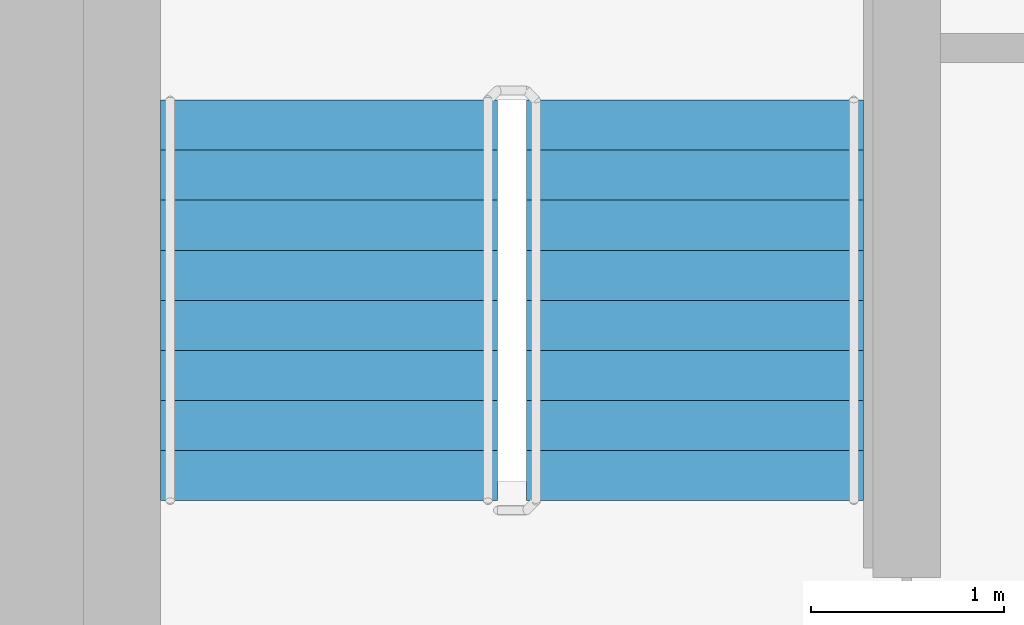
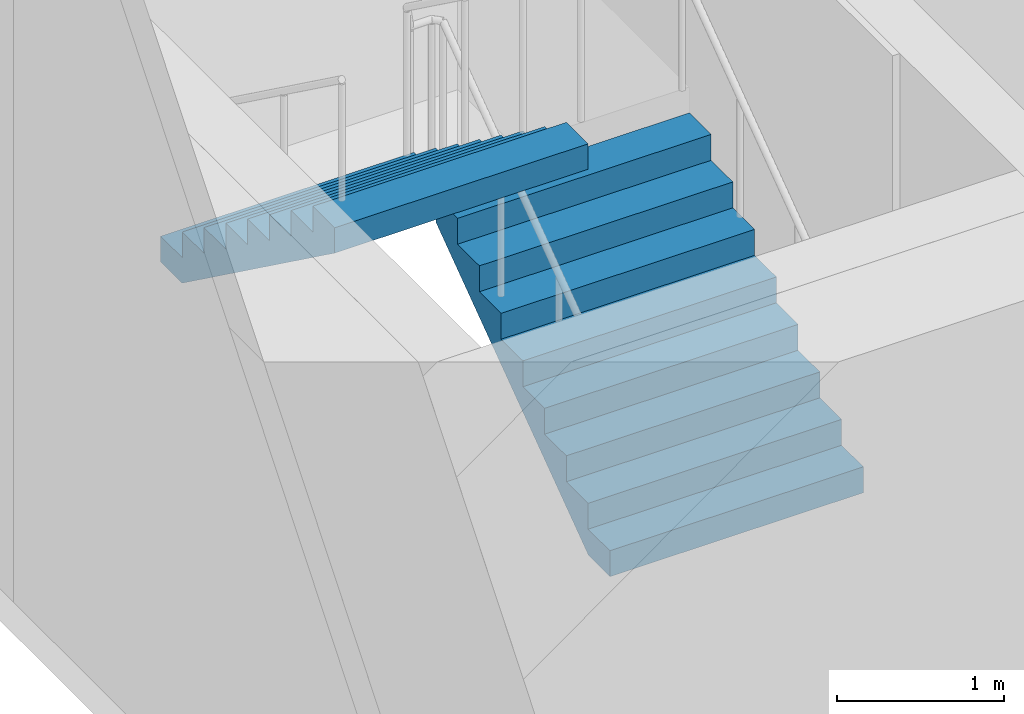
# One storey, part 15 of 18: 2 stair flights, 1 element without a shape of its own.
"""IFC4 building model written with IfcOpenShell, lengths in metres."""

from ifc_helpers import new_model, si_unit, direction, frame, origin, place, context, subcontext, project, spatial, faceted_brep, material, type_object, element, aggregate, save


model = new_model("IFC4")

# Units and contexts
model_context = context("Model", 3, precision=1e-05, world=origin(), true_north=direction((0.0, 1.0)))
body_context = subcontext(model_context, "Body", "Model", "MODEL_VIEW")
ifc_project = project(units=[si_unit("LENGTHUNIT", "METRE"), si_unit("AREAUNIT", "SQUARE_METRE"), si_unit("VOLUMEUNIT", "CUBIC_METRE"), si_unit("PLANEANGLEUNIT", "RADIAN"), si_unit("MASSUNIT", "GRAM", prefix="KILO")], contexts=[model_context])

# Site, building, storey
site_placement = place(None, origin())
site = spatial("IfcSite", under=ifc_project, at=site_placement, CompositionType="ELEMENT")
building_placement = place(site_placement, origin())
building = spatial("IfcBuilding", under=site, at=building_placement, Name="Ipe Terrace Towers", CompositionType="ELEMENT")
storey_placement = place(building_placement, frame((0.0, 0.0, 171.10009765625)))
storey = spatial("IfcBuildingStorey", under=building, at=storey_placement, Name="L47", CompositionType="ELEMENT", Elevation=171.10009765625)

# Stair, stair flights
ifc_material_1 = material(Name="Concrete C30/37", Category="concrete")
stair_type = type_object("IfcStairType", Name="Protected exit stair", PredefinedType="HALF_TURN_STAIR", material=ifc_material_1)
stair_placement = place(storey_placement, origin())
stair = element("IfcStair", 1, at=stair_placement, inside=storey, type_object=stair_type, Name="L47 Exit stair T2-C1", PredefinedType="HALF_TURN_STAIR")
ifc_material_2 = material(Name="Concrete C30/37", Category="concrete")
stair_flight_type = type_object("IfcStairFlightType", Name="Exit stair flight 1750", PredefinedType="STRAIGHT", material=ifc_material_2)
stair_flight_1_placement = place(storey_placement, frame((33.22509765625, 9.699951171875, 0.0), z_axis=(0.0, 0.0, 1.0), x_axis=(0.0, 1.0, 0.0)))
stair_flight_1 = element("IfcStairFlight", 2, at=stair_flight_1_placement, type_object=stair_flight_type, Name="T2-ST1 flight 1", NumberOfRisers=9, NumberOfTreads=8, PredefinedType="STRAIGHT", RiserHeight=0.188888889, TreadLength=0.26, context=body_context, shape_type="Brep", body=[
    faceted_brep([(0.255126953125, -0.875, 0.0), (2.080078125, -0.875, 1.325927734375), (2.080078125, -0.875, 1.51123046875), (1.820068359375, -0.875, 1.51123046875), (1.820068359375, -0.875, 1.322265625), (1.56005859375, -0.875, 1.322265625), (1.56005859375, -0.875, 1.13330078125), (1.300048828125, -0.875, 1.13330078125), (1.300048828125, -0.875, 0.9443359375), (1.0400390625, -0.875, 0.9443359375), (1.0400390625, -0.875, 0.755615234375), (0.780029296875, -0.875, 0.755615234375), (0.780029296875, -0.875, 0.566650390625), (0.52001953125, -0.875, 0.566650390625), (0.52001953125, -0.875, 0.377685546875), (0.260009765625, -0.875, 0.377685546875), (0.260009765625, -0.875, 0.18896484375), (0.0, -0.875, 0.18896484375), (0.0, -0.875, 0.0), (0.0, 0.875, 0.0), (0.0, 0.875, 0.18896484375), (0.260009765625, 0.875, 0.18896484375), (0.260009765625, 0.875, 0.377685546875), (0.52001953125, 0.875, 0.377685546875), (0.52001953125, 0.875, 0.566650390625), (0.780029296875, 0.875, 0.566650390625), (0.780029296875, 0.875, 0.755615234375), (1.0400390625, 0.875, 0.755615234375), (1.0400390625, 0.875, 0.9443359375), (1.300048828125, 0.875, 0.9443359375), (1.300048828125, 0.875, 1.13330078125), (1.56005859375, 0.875, 1.13330078125), (1.56005859375, 0.875, 1.322265625), (1.820068359375, 0.875, 1.322265625), (1.820068359375, 0.875, 1.51123046875), (2.080078125, 0.875, 1.51123046875), (2.080078125, 0.875, 1.325927734375), (0.255126953125, 0.875, 0.0), (0.0, -0.300048828125, 0.18896484375), (0.0, -0.1201171875, 0.18896484375), (0.0, -0.06005859375, 0.18896484375), (0.0, -0.030029296875, 0.18896484375), (0.0, -0.010009765625, 0.18896484375), (0.0, 0.0, 0.18896484375), (0.0, 0.010009765625, 0.18896484375), (0.0, 0.030029296875, 0.18896484375), (0.0, 0.06005859375, 0.18896484375), (0.0, 0.1201171875, 0.18896484375), (0.0, 0.300048828125, 0.18896484375), (0.0, 0.300048828125, 0.0), (0.0, 0.1201171875, 0.0), (0.0, 0.06005859375, 0.0), (0.0, 0.030029296875, 0.0), (0.0, 0.010009765625, 0.0), (0.0, 0.0, 0.0), (0.0, -0.010009765625, 0.0), (0.0, -0.030029296875, 0.0), (0.0, -0.06005859375, 0.0), (0.0, -0.1201171875, 0.0), (0.0, -0.300048828125, 0.0), (0.260009765625, -0.300048828125, 0.18896484375), (0.260009765625, -0.1201171875, 0.18896484375), (0.260009765625, -0.06005859375, 0.18896484375), (0.260009765625, -0.030029296875, 0.18896484375), (0.260009765625, -0.010009765625, 0.18896484375), (0.260009765625, 0.0, 0.18896484375), (0.260009765625, 0.010009765625, 0.18896484375), (0.260009765625, 0.030029296875, 0.18896484375), (0.260009765625, 0.06005859375, 0.18896484375), (0.260009765625, 0.1201171875, 0.18896484375), (0.260009765625, 0.300048828125, 0.18896484375), (0.260009765625, -0.300048828125, 0.377685546875), (0.260009765625, -0.1201171875, 0.377685546875), (0.260009765625, -0.06005859375, 0.377685546875), (0.260009765625, -0.030029296875, 0.377685546875), (0.260009765625, -0.010009765625, 0.377685546875), (0.260009765625, 0.0, 0.377685546875), (0.260009765625, 0.010009765625, 0.377685546875), (0.260009765625, 0.030029296875, 0.377685546875), (0.260009765625, 0.06005859375, 0.377685546875), (0.260009765625, 0.1201171875, 0.377685546875), (0.260009765625, 0.300048828125, 0.377685546875), (0.52001953125, -0.300048828125, 0.377685546875), (0.52001953125, -0.1201171875, 0.377685546875), (0.52001953125, -0.06005859375, 0.377685546875), (0.52001953125, -0.030029296875, 0.377685546875), (0.52001953125, -0.010009765625, 0.377685546875), (0.52001953125, 0.0, 0.377685546875), (0.52001953125, 0.010009765625, 0.377685546875), (0.52001953125, 0.030029296875, 0.377685546875), (0.52001953125, 0.06005859375, 0.377685546875), (0.52001953125, 0.1201171875, 0.377685546875), (0.52001953125, 0.300048828125, 0.377685546875), (0.52001953125, -0.300048828125, 0.566650390625), (0.52001953125, -0.1201171875, 0.566650390625), (0.52001953125, -0.06005859375, 0.566650390625), (0.52001953125, -0.030029296875, 0.566650390625), (0.52001953125, -0.010009765625, 0.566650390625), (0.52001953125, 0.0, 0.566650390625), (0.52001953125, 0.010009765625, 0.566650390625), (0.52001953125, 0.030029296875, 0.566650390625), (0.52001953125, 0.06005859375, 0.566650390625), (0.52001953125, 0.1201171875, 0.566650390625), (0.52001953125, 0.300048828125, 0.566650390625), (0.780029296875, -0.300048828125, 0.566650390625), (0.780029296875, -0.1201171875, 0.566650390625), (0.780029296875, -0.06005859375, 0.566650390625), (0.780029296875, -0.030029296875, 0.566650390625), (0.780029296875, -0.010009765625, 0.566650390625), (0.780029296875, 0.0, 0.566650390625), (0.780029296875, 0.010009765625, 0.566650390625), (0.780029296875, 0.030029296875, 0.566650390625), (0.780029296875, 0.06005859375, 0.566650390625), (0.780029296875, 0.1201171875, 0.566650390625), (0.780029296875, 0.300048828125, 0.566650390625), (0.780029296875, -0.300048828125, 0.755615234375), (0.780029296875, -0.1201171875, 0.755615234375), (0.780029296875, -0.06005859375, 0.755615234375), (0.780029296875, -0.030029296875, 0.755615234375), (0.780029296875, -0.010009765625, 0.755615234375), (0.780029296875, 0.0, 0.755615234375), (0.780029296875, 0.010009765625, 0.755615234375), (0.780029296875, 0.030029296875, 0.755615234375), (0.780029296875, 0.06005859375, 0.755615234375), (0.780029296875, 0.1201171875, 0.755615234375), (0.780029296875, 0.300048828125, 0.755615234375), (1.0400390625, -0.300048828125, 0.755615234375), (1.0400390625, -0.1201171875, 0.755615234375), (1.0400390625, -0.06005859375, 0.755615234375), (1.0400390625, -0.030029296875, 0.755615234375), (1.0400390625, -0.010009765625, 0.755615234375), (1.0400390625, 0.0, 0.755615234375), (1.0400390625, 0.010009765625, 0.755615234375), (1.0400390625, 0.030029296875, 0.755615234375), (1.0400390625, 0.06005859375, 0.755615234375), (1.0400390625, 0.1201171875, 0.755615234375), (1.0400390625, 0.300048828125, 0.755615234375), (1.0400390625, -0.300048828125, 0.9443359375), (1.0400390625, -0.1201171875, 0.9443359375), (1.0400390625, -0.06005859375, 0.9443359375), (1.0400390625, -0.030029296875, 0.9443359375), (1.0400390625, -0.010009765625, 0.9443359375), (1.0400390625, 0.0, 0.9443359375), (1.0400390625, 0.010009765625, 0.9443359375), (1.0400390625, 0.030029296875, 0.9443359375), (1.0400390625, 0.06005859375, 0.9443359375), (1.0400390625, 0.1201171875, 0.9443359375), (1.0400390625, 0.300048828125, 0.9443359375), (1.300048828125, -0.300048828125, 0.9443359375), (1.300048828125, -0.1201171875, 0.9443359375), (1.300048828125, -0.06005859375, 0.9443359375), (1.300048828125, -0.030029296875, 0.9443359375), (1.300048828125, -0.010009765625, 0.9443359375), (1.300048828125, 0.0, 0.9443359375), (1.300048828125, 0.010009765625, 0.9443359375), (1.300048828125, 0.030029296875, 0.9443359375), (1.300048828125, 0.06005859375, 0.9443359375), (1.300048828125, 0.1201171875, 0.9443359375), (1.300048828125, 0.300048828125, 0.9443359375), (1.300048828125, -0.300048828125, 1.13330078125), (1.300048828125, -0.1201171875, 1.13330078125), (1.300048828125, -0.06005859375, 1.13330078125), (1.300048828125, -0.030029296875, 1.13330078125), (1.300048828125, -0.010009765625, 1.13330078125), (1.300048828125, 0.0, 1.13330078125), (1.300048828125, 0.010009765625, 1.13330078125), (1.300048828125, 0.030029296875, 1.13330078125), (1.300048828125, 0.06005859375, 1.13330078125), (1.300048828125, 0.1201171875, 1.13330078125), (1.300048828125, 0.300048828125, 1.13330078125), (1.56005859375, -0.300048828125, 1.13330078125), (1.56005859375, -0.1201171875, 1.13330078125), (1.56005859375, -0.06005859375, 1.13330078125), (1.56005859375, -0.030029296875, 1.13330078125), (1.56005859375, -0.010009765625, 1.13330078125), (1.56005859375, 0.0, 1.13330078125), (1.56005859375, 0.010009765625, 1.13330078125), (1.56005859375, 0.030029296875, 1.13330078125), (1.56005859375, 0.06005859375, 1.13330078125), (1.56005859375, 0.1201171875, 1.13330078125), (1.56005859375, 0.300048828125, 1.13330078125), (1.56005859375, -0.300048828125, 1.322265625), (1.56005859375, -0.1201171875, 1.322265625), (1.56005859375, -0.06005859375, 1.322265625), (1.56005859375, -0.030029296875, 1.322265625), (1.56005859375, -0.010009765625, 1.322265625), (1.56005859375, 0.0, 1.322265625), (1.56005859375, 0.010009765625, 1.322265625), (1.56005859375, 0.030029296875, 1.322265625), (1.56005859375, 0.06005859375, 1.322265625), (1.56005859375, 0.1201171875, 1.322265625), (1.56005859375, 0.300048828125, 1.322265625), (1.820068359375, -0.300048828125, 1.322265625), (1.820068359375, -0.1201171875, 1.322265625), (1.820068359375, -0.06005859375, 1.322265625), (1.820068359375, -0.030029296875, 1.322265625), (1.820068359375, -0.010009765625, 1.322265625), (1.820068359375, 0.0, 1.322265625), (1.820068359375, 0.010009765625, 1.322265625), (1.820068359375, 0.030029296875, 1.322265625), (1.820068359375, 0.06005859375, 1.322265625), (1.820068359375, 0.1201171875, 1.322265625), (1.820068359375, 0.300048828125, 1.322265625), (1.820068359375, -0.300048828125, 1.51123046875), (1.820068359375, -0.1201171875, 1.51123046875), (1.820068359375, -0.06005859375, 1.51123046875), (1.820068359375, -0.030029296875, 1.51123046875), (1.820068359375, -0.010009765625, 1.51123046875), (1.820068359375, 0.0, 1.51123046875), (1.820068359375, 0.010009765625, 1.51123046875), (1.820068359375, 0.030029296875, 1.51123046875), (1.820068359375, 0.06005859375, 1.51123046875), (1.820068359375, 0.1201171875, 1.51123046875), (1.820068359375, 0.300048828125, 1.51123046875), (2.080078125, -0.300048828125, 1.51123046875), (2.080078125, -0.1201171875, 1.51123046875), (2.080078125, -0.06005859375, 1.51123046875), (2.080078125, -0.030029296875, 1.51123046875), (2.080078125, -0.010009765625, 1.51123046875), (2.080078125, 0.0, 1.51123046875), (2.080078125, 0.010009765625, 1.51123046875), (2.080078125, 0.030029296875, 1.51123046875), (2.080078125, 0.06005859375, 1.51123046875), (2.080078125, 0.1201171875, 1.51123046875), (2.080078125, 0.300048828125, 1.51123046875), (2.080078125, -0.300048828125, 1.325927734375), (2.080078125, -0.1201171875, 1.325927734375), (2.080078125, -0.06005859375, 1.325927734375), (2.080078125, -0.030029296875, 1.325927734375), (2.080078125, -0.010009765625, 1.325927734375), (2.080078125, 0.0, 1.325927734375), (2.080078125, 0.010009765625, 1.325927734375), (2.080078125, 0.030029296875, 1.325927734375), (2.080078125, 0.06005859375, 1.325927734375), (2.080078125, 0.1201171875, 1.325927734375), (2.080078125, 0.300048828125, 1.325927734375), (0.255126953125, -0.300048828125, 0.0), (0.255126953125, -0.1201171875, 0.0), (0.255126953125, -0.06005859375, 0.0), (0.255126953125, -0.030029296875, 0.0), (0.255126953125, -0.010009765625, 0.0), (0.255126953125, 0.0, 0.0), (0.255126953125, 0.010009765625, 0.0), (0.255126953125, 0.030029296875, 0.0), (0.255126953125, 0.06005859375, 0.0), (0.255126953125, 0.1201171875, 0.0), (0.255126953125, 0.300048828125, 0.0)], [[[0, 1, 2, 3, 4, 5, 6, 7, 8, 9, 10, 11, 12, 13, 14, 15, 16, 17, 18]], [[19, 20, 21, 22, 23, 24, 25, 26, 27, 28, 29, 30, 31, 32, 33, 34, 35, 36, 37]], [[17, 38, 39, 40, 41, 42, 43, 44, 45, 46, 47, 48, 20, 19, 49, 50, 51, 52, 53, 54, 55, 56, 57, 58, 59, 18]], [[16, 60, 61, 62, 63, 64, 65, 66, 67, 68, 69, 70, 21, 20, 48, 47, 46, 45, 44, 43, 42, 41, 40, 39, 38, 17]], [[15, 71, 72, 73, 74, 75, 76, 77, 78, 79, 80, 81, 22, 21, 70, 69, 68, 67, 66, 65, 64, 63, 62, 61, 60, 16]], [[14, 82, 83, 84, 85, 86, 87, 88, 89, 90, 91, 92, 23, 22, 81, 80, 79, 78, 77, 76, 75, 74, 73, 72, 71, 15]], [[13, 93, 94, 95, 96, 97, 98, 99, 100, 101, 102, 103, 24, 23, 92, 91, 90, 89, 88, 87, 86, 85, 84, 83, 82, 14]], [[12, 104, 105, 106, 107, 108, 109, 110, 111, 112, 113, 114, 25, 24, 103, 102, 101, 100, 99, 98, 97, 96, 95, 94, 93, 13]], [[11, 115, 116, 117, 118, 119, 120, 121, 122, 123, 124, 125, 26, 25, 114, 113, 112, 111, 110, 109, 108, 107, 106, 105, 104, 12]], [[10, 126, 127, 128, 129, 130, 131, 132, 133, 134, 135, 136, 27, 26, 125, 124, 123, 122, 121, 120, 119, 118, 117, 116, 115, 11]], [[9, 137, 138, 139, 140, 141, 142, 143, 144, 145, 146, 147, 28, 27, 136, 135, 134, 133, 132, 131, 130, 129, 128, 127, 126, 10]], [[8, 148, 149, 150, 151, 152, 153, 154, 155, 156, 157, 158, 29, 28, 147, 146, 145, 144, 143, 142, 141, 140, 139, 138, 137, 9]], [[7, 159, 160, 161, 162, 163, 164, 165, 166, 167, 168, 169, 30, 29, 158, 157, 156, 155, 154, 153, 152, 151, 150, 149, 148, 8]], [[6, 170, 171, 172, 173, 174, 175, 176, 177, 178, 179, 180, 31, 30, 169, 168, 167, 166, 165, 164, 163, 162, 161, 160, 159, 7]], [[5, 181, 182, 183, 184, 185, 186, 187, 188, 189, 190, 191, 32, 31, 180, 179, 178, 177, 176, 175, 174, 173, 172, 171, 170, 6]], [[4, 192, 193, 194, 195, 196, 197, 198, 199, 200, 201, 202, 33, 32, 191, 190, 189, 188, 187, 186, 185, 184, 183, 182, 181, 5]], [[3, 203, 204, 205, 206, 207, 208, 209, 210, 211, 212, 213, 34, 33, 202, 201, 200, 199, 198, 197, 196, 195, 194, 193, 192, 4]], [[2, 214, 215, 216, 217, 218, 219, 220, 221, 222, 223, 224, 35, 34, 213, 212, 211, 210, 209, 208, 207, 206, 205, 204, 203, 3]], [[1, 225, 226, 227, 228, 229, 230, 231, 232, 233, 234, 235, 36, 35, 224, 223, 222, 221, 220, 219, 218, 217, 216, 215, 214, 2]], [[0, 236, 237, 238, 239, 240, 241, 242, 243, 244, 245, 246, 37, 36, 235, 234, 233, 232, 231, 230, 229, 228, 227, 226, 225, 1]], [[18, 59, 58, 57, 56, 55, 54, 53, 52, 51, 50, 49, 19, 37, 246, 245, 244, 243, 242, 241, 240, 239, 238, 237, 236, 0]]]),
])
stair_flight_2_placement = place(storey_placement, frame((31.324951171875, 11.780029296875, 1.699951171875), z_axis=(0.0, 0.0, 1.0), x_axis=(0.0, -1.0, 0.0)))
stair_flight_2 = element("IfcStairFlight", 3, at=stair_flight_2_placement, type_object=stair_flight_type, Name="T2-ST1 flight 2", NumberOfRisers=9, NumberOfTreads=8, PredefinedType="STRAIGHT", RiserHeight=0.188888889, TreadLength=0.26, context=body_context, shape_type="Brep", body=[
    faceted_brep([(0.255126953125, -0.875, 0.0), (2.080078125, -0.875, 1.325927734375), (2.080078125, -0.875, 1.51123046875), (1.820068359375, -0.875, 1.51123046875), (1.820068359375, -0.875, 1.322265625), (1.56005859375, -0.875, 1.322265625), (1.56005859375, -0.875, 1.13330078125), (1.300048828125, -0.875, 1.13330078125), (1.300048828125, -0.875, 0.9443359375), (1.0400390625, -0.875, 0.9443359375), (1.0400390625, -0.875, 0.755615234375), (0.780029296875, -0.875, 0.755615234375), (0.780029296875, -0.875, 0.566650390625), (0.52001953125, -0.875, 0.566650390625), (0.52001953125, -0.875, 0.377685546875), (0.260009765625, -0.875, 0.377685546875), (0.260009765625, -0.875, 0.18896484375), (0.0, -0.875, 0.18896484375), (0.0, -0.875, 0.0), (0.0, 0.875, 0.0), (0.0, 0.875, 0.18896484375), (0.260009765625, 0.875, 0.18896484375), (0.260009765625, 0.875, 0.377685546875), (0.52001953125, 0.875, 0.377685546875), (0.52001953125, 0.875, 0.566650390625), (0.780029296875, 0.875, 0.566650390625), (0.780029296875, 0.875, 0.755615234375), (1.0400390625, 0.875, 0.755615234375), (1.0400390625, 0.875, 0.9443359375), (1.300048828125, 0.875, 0.9443359375), (1.300048828125, 0.875, 1.13330078125), (1.56005859375, 0.875, 1.13330078125), (1.56005859375, 0.875, 1.322265625), (1.820068359375, 0.875, 1.322265625), (1.820068359375, 0.875, 1.51123046875), (2.080078125, 0.875, 1.51123046875), (2.080078125, 0.875, 1.325927734375), (0.255126953125, 0.875, 0.0), (0.0, -0.300048828125, 0.18896484375), (0.0, -0.1201171875, 0.18896484375), (0.0, -0.06005859375, 0.18896484375), (0.0, -0.030029296875, 0.18896484375), (0.0, -0.010009765625, 0.18896484375), (0.0, 0.0, 0.18896484375), (0.0, 0.010009765625, 0.18896484375), (0.0, 0.030029296875, 0.18896484375), (0.0, 0.06005859375, 0.18896484375), (0.0, 0.1201171875, 0.18896484375), (0.0, 0.300048828125, 0.18896484375), (0.0, 0.300048828125, 0.0), (0.0, 0.1201171875, 0.0), (0.0, 0.06005859375, 0.0), (0.0, 0.030029296875, 0.0), (0.0, 0.010009765625, 0.0), (0.0, 0.0, 0.0), (0.0, -0.010009765625, 0.0), (0.0, -0.030029296875, 0.0), (0.0, -0.06005859375, 0.0), (0.0, -0.1201171875, 0.0), (0.0, -0.300048828125, 0.0), (0.260009765625, -0.300048828125, 0.18896484375), (0.260009765625, -0.1201171875, 0.18896484375), (0.260009765625, -0.06005859375, 0.18896484375), (0.260009765625, -0.030029296875, 0.18896484375), (0.260009765625, -0.010009765625, 0.18896484375), (0.260009765625, 0.0, 0.18896484375), (0.260009765625, 0.010009765625, 0.18896484375), (0.260009765625, 0.030029296875, 0.18896484375), (0.260009765625, 0.06005859375, 0.18896484375), (0.260009765625, 0.1201171875, 0.18896484375), (0.260009765625, 0.300048828125, 0.18896484375), (0.260009765625, -0.300048828125, 0.377685546875), (0.260009765625, -0.1201171875, 0.377685546875), (0.260009765625, -0.06005859375, 0.377685546875), (0.260009765625, -0.030029296875, 0.377685546875), (0.260009765625, -0.010009765625, 0.377685546875), (0.260009765625, 0.0, 0.377685546875), (0.260009765625, 0.010009765625, 0.377685546875), (0.260009765625, 0.030029296875, 0.377685546875), (0.260009765625, 0.06005859375, 0.377685546875), (0.260009765625, 0.1201171875, 0.377685546875), (0.260009765625, 0.300048828125, 0.377685546875), (0.52001953125, -0.300048828125, 0.377685546875), (0.52001953125, -0.1201171875, 0.377685546875), (0.52001953125, -0.06005859375, 0.377685546875), (0.52001953125, -0.030029296875, 0.377685546875), (0.52001953125, -0.010009765625, 0.377685546875), (0.52001953125, 0.0, 0.377685546875), (0.52001953125, 0.010009765625, 0.377685546875), (0.52001953125, 0.030029296875, 0.377685546875), (0.52001953125, 0.06005859375, 0.377685546875), (0.52001953125, 0.1201171875, 0.377685546875), (0.52001953125, 0.300048828125, 0.377685546875), (0.52001953125, -0.300048828125, 0.566650390625), (0.52001953125, -0.1201171875, 0.566650390625), (0.52001953125, -0.06005859375, 0.566650390625), (0.52001953125, -0.030029296875, 0.566650390625), (0.52001953125, -0.010009765625, 0.566650390625), (0.52001953125, 0.0, 0.566650390625), (0.52001953125, 0.010009765625, 0.566650390625), (0.52001953125, 0.030029296875, 0.566650390625), (0.52001953125, 0.06005859375, 0.566650390625), (0.52001953125, 0.1201171875, 0.566650390625), (0.52001953125, 0.300048828125, 0.566650390625), (0.780029296875, -0.300048828125, 0.566650390625), (0.780029296875, -0.1201171875, 0.566650390625), (0.780029296875, -0.06005859375, 0.566650390625), (0.780029296875, -0.030029296875, 0.566650390625), (0.780029296875, -0.010009765625, 0.566650390625), (0.780029296875, 0.0, 0.566650390625), (0.780029296875, 0.010009765625, 0.566650390625), (0.780029296875, 0.030029296875, 0.566650390625), (0.780029296875, 0.06005859375, 0.566650390625), (0.780029296875, 0.1201171875, 0.566650390625), (0.780029296875, 0.300048828125, 0.566650390625), (0.780029296875, -0.300048828125, 0.755615234375), (0.780029296875, -0.1201171875, 0.755615234375), (0.780029296875, -0.06005859375, 0.755615234375), (0.780029296875, -0.030029296875, 0.755615234375), (0.780029296875, -0.010009765625, 0.755615234375), (0.780029296875, 0.0, 0.755615234375), (0.780029296875, 0.010009765625, 0.755615234375), (0.780029296875, 0.030029296875, 0.755615234375), (0.780029296875, 0.06005859375, 0.755615234375), (0.780029296875, 0.1201171875, 0.755615234375), (0.780029296875, 0.300048828125, 0.755615234375), (1.0400390625, -0.300048828125, 0.755615234375), (1.0400390625, -0.1201171875, 0.755615234375), (1.0400390625, -0.06005859375, 0.755615234375), (1.0400390625, -0.030029296875, 0.755615234375), (1.0400390625, -0.010009765625, 0.755615234375), (1.0400390625, 0.0, 0.755615234375), (1.0400390625, 0.010009765625, 0.755615234375), (1.0400390625, 0.030029296875, 0.755615234375), (1.0400390625, 0.06005859375, 0.755615234375), (1.0400390625, 0.1201171875, 0.755615234375), (1.0400390625, 0.300048828125, 0.755615234375), (1.0400390625, -0.300048828125, 0.9443359375), (1.0400390625, -0.1201171875, 0.9443359375), (1.0400390625, -0.06005859375, 0.9443359375), (1.0400390625, -0.030029296875, 0.9443359375), (1.0400390625, -0.010009765625, 0.9443359375), (1.0400390625, 0.0, 0.9443359375), (1.0400390625, 0.010009765625, 0.9443359375), (1.0400390625, 0.030029296875, 0.9443359375), (1.0400390625, 0.06005859375, 0.9443359375), (1.0400390625, 0.1201171875, 0.9443359375), (1.0400390625, 0.300048828125, 0.9443359375), (1.300048828125, -0.300048828125, 0.9443359375), (1.300048828125, -0.1201171875, 0.9443359375), (1.300048828125, -0.06005859375, 0.9443359375), (1.300048828125, -0.030029296875, 0.9443359375), (1.300048828125, -0.010009765625, 0.9443359375), (1.300048828125, 0.0, 0.9443359375), (1.300048828125, 0.010009765625, 0.9443359375), (1.300048828125, 0.030029296875, 0.9443359375), (1.300048828125, 0.06005859375, 0.9443359375), (1.300048828125, 0.1201171875, 0.9443359375), (1.300048828125, 0.300048828125, 0.9443359375), (1.300048828125, -0.300048828125, 1.13330078125), (1.300048828125, -0.1201171875, 1.13330078125), (1.300048828125, -0.06005859375, 1.13330078125), (1.300048828125, -0.030029296875, 1.13330078125), (1.300048828125, -0.010009765625, 1.13330078125), (1.300048828125, 0.0, 1.13330078125), (1.300048828125, 0.010009765625, 1.13330078125), (1.300048828125, 0.030029296875, 1.13330078125), (1.300048828125, 0.06005859375, 1.13330078125), (1.300048828125, 0.1201171875, 1.13330078125), (1.300048828125, 0.300048828125, 1.13330078125), (1.56005859375, -0.300048828125, 1.13330078125), (1.56005859375, -0.1201171875, 1.13330078125), (1.56005859375, -0.06005859375, 1.13330078125), (1.56005859375, -0.030029296875, 1.13330078125), (1.56005859375, -0.010009765625, 1.13330078125), (1.56005859375, 0.0, 1.13330078125), (1.56005859375, 0.010009765625, 1.13330078125), (1.56005859375, 0.030029296875, 1.13330078125), (1.56005859375, 0.06005859375, 1.13330078125), (1.56005859375, 0.1201171875, 1.13330078125), (1.56005859375, 0.300048828125, 1.13330078125), (1.56005859375, -0.300048828125, 1.322265625), (1.56005859375, -0.1201171875, 1.322265625), (1.56005859375, -0.06005859375, 1.322265625), (1.56005859375, -0.030029296875, 1.322265625), (1.56005859375, -0.010009765625, 1.322265625), (1.56005859375, 0.0, 1.322265625), (1.56005859375, 0.010009765625, 1.322265625), (1.56005859375, 0.030029296875, 1.322265625), (1.56005859375, 0.06005859375, 1.322265625), (1.56005859375, 0.1201171875, 1.322265625), (1.56005859375, 0.300048828125, 1.322265625), (1.820068359375, -0.300048828125, 1.322265625), (1.820068359375, -0.1201171875, 1.322265625), (1.820068359375, -0.06005859375, 1.322265625), (1.820068359375, -0.030029296875, 1.322265625), (1.820068359375, -0.010009765625, 1.322265625), (1.820068359375, 0.0, 1.322265625), (1.820068359375, 0.010009765625, 1.322265625), (1.820068359375, 0.030029296875, 1.322265625), (1.820068359375, 0.06005859375, 1.322265625), (1.820068359375, 0.1201171875, 1.322265625), (1.820068359375, 0.300048828125, 1.322265625), (1.820068359375, -0.300048828125, 1.51123046875), (1.820068359375, -0.1201171875, 1.51123046875), (1.820068359375, -0.06005859375, 1.51123046875), (1.820068359375, -0.030029296875, 1.51123046875), (1.820068359375, -0.010009765625, 1.51123046875), (1.820068359375, 0.0, 1.51123046875), (1.820068359375, 0.010009765625, 1.51123046875), (1.820068359375, 0.030029296875, 1.51123046875), (1.820068359375, 0.06005859375, 1.51123046875), (1.820068359375, 0.1201171875, 1.51123046875), (1.820068359375, 0.300048828125, 1.51123046875), (2.080078125, -0.300048828125, 1.51123046875), (2.080078125, -0.1201171875, 1.51123046875), (2.080078125, -0.06005859375, 1.51123046875), (2.080078125, -0.030029296875, 1.51123046875), (2.080078125, -0.010009765625, 1.51123046875), (2.080078125, 0.0, 1.51123046875), (2.080078125, 0.010009765625, 1.51123046875), (2.080078125, 0.030029296875, 1.51123046875), (2.080078125, 0.06005859375, 1.51123046875), (2.080078125, 0.1201171875, 1.51123046875), (2.080078125, 0.300048828125, 1.51123046875), (2.080078125, -0.300048828125, 1.325927734375), (2.080078125, -0.1201171875, 1.325927734375), (2.080078125, -0.06005859375, 1.325927734375), (2.080078125, -0.030029296875, 1.325927734375), (2.080078125, -0.010009765625, 1.325927734375), (2.080078125, 0.0, 1.325927734375), (2.080078125, 0.010009765625, 1.325927734375), (2.080078125, 0.030029296875, 1.325927734375), (2.080078125, 0.06005859375, 1.325927734375), (2.080078125, 0.1201171875, 1.325927734375), (2.080078125, 0.300048828125, 1.325927734375), (0.255126953125, -0.300048828125, 0.0), (0.255126953125, -0.1201171875, 0.0), (0.255126953125, -0.06005859375, 0.0), (0.255126953125, -0.030029296875, 0.0), (0.255126953125, -0.010009765625, 0.0), (0.255126953125, 0.0, 0.0), (0.255126953125, 0.010009765625, 0.0), (0.255126953125, 0.030029296875, 0.0), (0.255126953125, 0.06005859375, 0.0), (0.255126953125, 0.1201171875, 0.0), (0.255126953125, 0.300048828125, 0.0)], [[[0, 1, 2, 3, 4, 5, 6, 7, 8, 9, 10, 11, 12, 13, 14, 15, 16, 17, 18]], [[19, 20, 21, 22, 23, 24, 25, 26, 27, 28, 29, 30, 31, 32, 33, 34, 35, 36, 37]], [[17, 38, 39, 40, 41, 42, 43, 44, 45, 46, 47, 48, 20, 19, 49, 50, 51, 52, 53, 54, 55, 56, 57, 58, 59, 18]], [[16, 60, 61, 62, 63, 64, 65, 66, 67, 68, 69, 70, 21, 20, 48, 47, 46, 45, 44, 43, 42, 41, 40, 39, 38, 17]], [[15, 71, 72, 73, 74, 75, 76, 77, 78, 79, 80, 81, 22, 21, 70, 69, 68, 67, 66, 65, 64, 63, 62, 61, 60, 16]], [[14, 82, 83, 84, 85, 86, 87, 88, 89, 90, 91, 92, 23, 22, 81, 80, 79, 78, 77, 76, 75, 74, 73, 72, 71, 15]], [[13, 93, 94, 95, 96, 97, 98, 99, 100, 101, 102, 103, 24, 23, 92, 91, 90, 89, 88, 87, 86, 85, 84, 83, 82, 14]], [[12, 104, 105, 106, 107, 108, 109, 110, 111, 112, 113, 114, 25, 24, 103, 102, 101, 100, 99, 98, 97, 96, 95, 94, 93, 13]], [[11, 115, 116, 117, 118, 119, 120, 121, 122, 123, 124, 125, 26, 25, 114, 113, 112, 111, 110, 109, 108, 107, 106, 105, 104, 12]], [[10, 126, 127, 128, 129, 130, 131, 132, 133, 134, 135, 136, 27, 26, 125, 124, 123, 122, 121, 120, 119, 118, 117, 116, 115, 11]], [[9, 137, 138, 139, 140, 141, 142, 143, 144, 145, 146, 147, 28, 27, 136, 135, 134, 133, 132, 131, 130, 129, 128, 127, 126, 10]], [[8, 148, 149, 150, 151, 152, 153, 154, 155, 156, 157, 158, 29, 28, 147, 146, 145, 144, 143, 142, 141, 140, 139, 138, 137, 9]], [[7, 159, 160, 161, 162, 163, 164, 165, 166, 167, 168, 169, 30, 29, 158, 157, 156, 155, 154, 153, 152, 151, 150, 149, 148, 8]], [[6, 170, 171, 172, 173, 174, 175, 176, 177, 178, 179, 180, 31, 30, 169, 168, 167, 166, 165, 164, 163, 162, 161, 160, 159, 7]], [[5, 181, 182, 183, 184, 185, 186, 187, 188, 189, 190, 191, 32, 31, 180, 179, 178, 177, 176, 175, 174, 173, 172, 171, 170, 6]], [[4, 192, 193, 194, 195, 196, 197, 198, 199, 200, 201, 202, 33, 32, 191, 190, 189, 188, 187, 186, 185, 184, 183, 182, 181, 5]], [[3, 203, 204, 205, 206, 207, 208, 209, 210, 211, 212, 213, 34, 33, 202, 201, 200, 199, 198, 197, 196, 195, 194, 193, 192, 4]], [[2, 214, 215, 216, 217, 218, 219, 220, 221, 222, 223, 224, 35, 34, 213, 212, 211, 210, 209, 208, 207, 206, 205, 204, 203, 3]], [[1, 225, 226, 227, 228, 229, 230, 231, 232, 233, 234, 235, 36, 35, 224, 223, 222, 221, 220, 219, 218, 217, 216, 215, 214, 2]], [[0, 236, 237, 238, 239, 240, 241, 242, 243, 244, 245, 246, 37, 36, 235, 234, 233, 232, 231, 230, 229, 228, 227, 226, 225, 1]], [[18, 59, 58, 57, 56, 55, 54, 53, 52, 51, 50, 49, 19, 37, 246, 245, 244, 243, 242, 241, 240, 239, 238, 237, 236, 0]]]),
])
aggregate(stair, [stair_flight_1, stair_flight_2])

save(model, "model.ifc")
